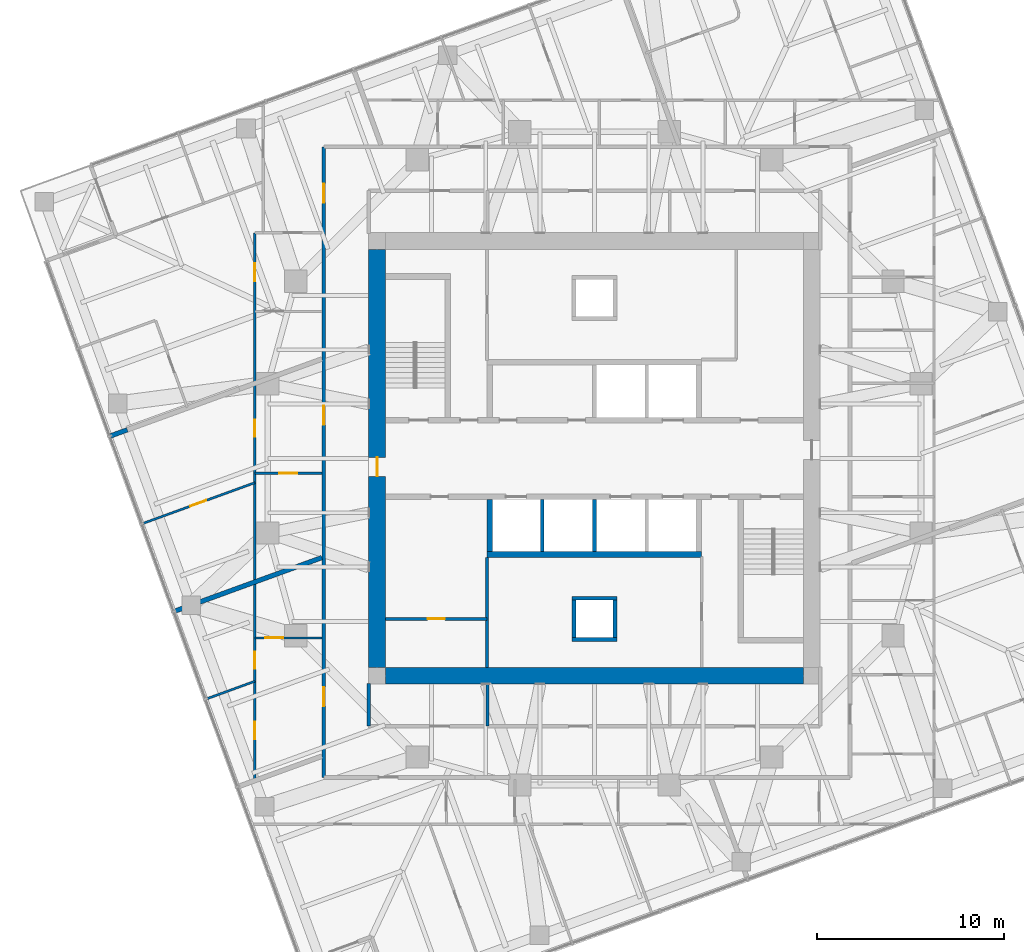
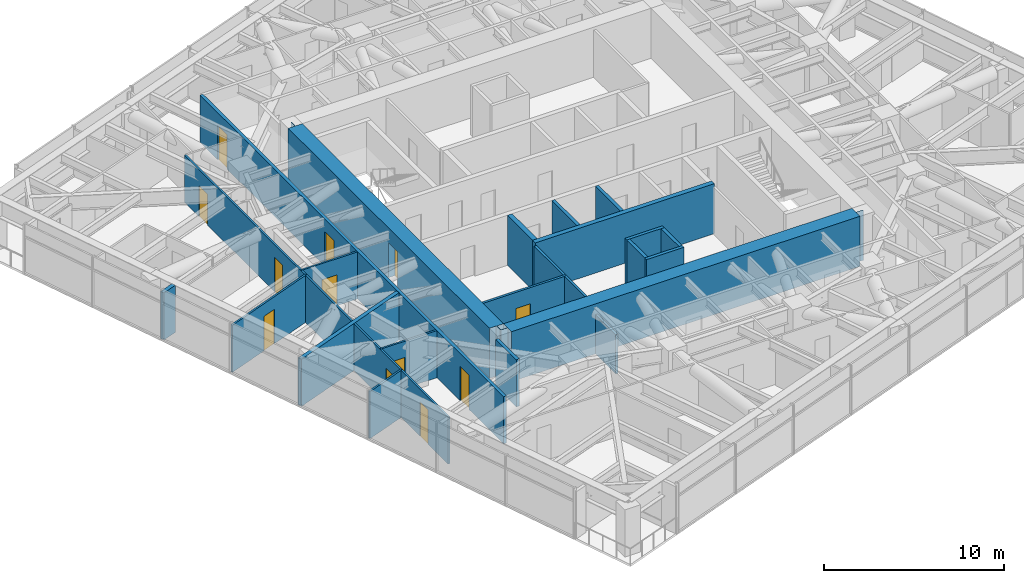
# One storey, part 10 of 16: 22 walls, 12 doors, 12 openings.
"""IFC4 building model written with IfcOpenShell, lengths in metres."""

from ifc_helpers import new_model, si_unit, direction, frame, frame_2d, origin, place, context, subcontext, project, spatial, polyline, rectangle, outline, extrude, material, layer, layer_set, type_object, element, fill, save


model = new_model("IFC4")

# Units and contexts
model_context = context("Model", 3, precision=1e-05, world=origin(), true_north=direction((0.0, 1.0)))
body_context = subcontext(model_context, "Body", "Model", "MODEL_VIEW")
ifc_project = project(units=[si_unit("LENGTHUNIT", "METRE"), si_unit("AREAUNIT", "SQUARE_METRE"), si_unit("VOLUMEUNIT", "CUBIC_METRE"), si_unit("PLANEANGLEUNIT", "RADIAN"), si_unit("MASSUNIT", "GRAM", prefix="KILO")], contexts=[model_context])

# Site, building, storey
site_placement = place(None, origin())
site = spatial("IfcSite", under=ifc_project, at=site_placement, CompositionType="ELEMENT")
building_placement = place(site_placement, origin())
building = spatial("IfcBuilding", under=site, at=building_placement, Name="Torsade Residences", CompositionType="ELEMENT")
storey_placement = place(building_placement, frame((0.0, 0.0, 167.60009765625)))
storey = spatial("IfcBuildingStorey", under=building, at=storey_placement, Name="L46", CompositionType="ELEMENT", Elevation=167.60009765625)

# Walls
ifc_material_1 = material(Name="Concrete 80 MPa", Category="concrete")
ifc_layer_1 = layer(ifc_material_1, 0.300048828125)
ifc_layer_set_1 = layer_set([ifc_layer_1], Name="Concrete 80 MPa")
wall_type_1 = type_object("IfcWallType", Name="CORE INTERNAL WALL 300", PredefinedType="SHEAR", material=ifc_layer_set_1)
wall_1_placement = place(storey_placement, frame((45.75, 24.85009765625, 0.0), z_axis=(0.0, 0.0, 1.0), x_axis=(-1.0, 0.0, 0.0)))
element("IfcWall", 1, at=wall_1_placement, inside=storey, type_object=wall_type_1, Name="Core wall BS L46", PredefinedType="SHEAR", context=body_context, shape_type="SweptSolid", body=[
    extrude(rectangle(XDim=11.5, YDim=0.300048828125, at=frame_2d((5.75, 0.0))), origin(), (0.0, 0.0, 1.0), 3.39990234375),
])
wall_2_placement = place(storey_placement, frame((34.39990234375, 27.800048828125, 0.0), z_axis=(0.0, 0.0, 1.0), x_axis=(0.0, -1.0, 0.0)))
element("IfcWall", 2, at=wall_2_placement, inside=storey, type_object=wall_type_1, Name="Core wall DS4 L46", PredefinedType="SHEAR", context=body_context, shape_type="SweptSolid", body=[
    extrude(rectangle(XDim=2.800048828125, YDim=0.300048828125, at=frame_2d((1.39990234375, 0.0))), origin(), (0.0, 0.0, 1.0), 3.39990234375),
])
ifc_material_2 = material(Name="Concrete 80 MPa", Category="concrete")
ifc_layer_2 = layer(ifc_material_2, 0.89990234375)
ifc_layer_set_2 = layer_set([ifc_layer_2], Name="Concrete 80 MPa")
wall_type_2 = type_object("IfcWallType", Name="CORE WALL 900", PredefinedType="SHEAR", material=ifc_layer_set_2)
wall_3_placement = place(storey_placement, frame((51.199951171875, 18.35009765625, 0.0), z_axis=(0.0, 0.0, 1.0), x_axis=(-1.0, 0.0, 0.0)))
element("IfcWall", 3, at=wall_3_placement, inside=storey, type_object=wall_type_2, Name="Core wall S L46", PredefinedType="SHEAR", context=body_context, shape_type="SweptSolid", body=[
    extrude(outline(polyline([(0.0, -0.449951171875), (22.39990234375, -0.449951171875), (22.39990234375, -0.02490234375), (22.849853515625, -0.02490234375), (22.849853515625, 0.02490234375), (22.39990234375, 0.02490234375), (22.39990234375, 0.449951171875), (0.0, 0.449951171875), (0.0, 0.02490234375), (-0.449951171875, 0.02490234375), (-0.449951171875, -0.02490234375), (0.0, -0.02490234375), (0.0, -0.449951171875)])), origin(), (0.0, 0.0, 1.0), 3.39990234375),
])

# Wall, opening, door
wall_4_placement = place(storey_placement, frame((28.35009765625, 41.199951171875, 0.0), z_axis=(0.0, 0.0, 1.0), x_axis=(0.0, -1.0, 0.0)))
wall_4 = element("IfcWall", 4, at=wall_4_placement, inside=storey, type_object=wall_type_2, Name="Core wall W L46", PredefinedType="SHEAR", context=body_context, shape_type="SweptSolid", body=[
    extrude(outline(polyline([(0.0, -0.449951171875), (22.39990234375, -0.449951171875), (22.39990234375, -0.02490234375), (22.849853515625, -0.02490234375), (22.849853515625, 0.02490234375), (22.39990234375, 0.02490234375), (22.39990234375, 0.449951171875), (0.0, 0.449951171875), (0.0, 0.02490234375), (-0.449951171875, 0.02490234375), (-0.449951171875, -0.02490234375), (0.0, -0.02490234375), (0.0, -0.449951171875)])), origin(), (0.0, 0.0, 1.0), 3.39990234375),
])
opening_1_placement = place(wall_4_placement, frame((11.139892578125, 0.0, 0.0)))
opening_1 = element("IfcOpeningElement", 5, at=opening_1_placement, cuts=wall_4, Name="Opening D04", PredefinedType="OPENING", context=body_context, shape_type="SweptSolid", body=[
    extrude(rectangle(XDim=1.02001953125, YDim=2.39990234375, at=frame_2d((0.510009765625, 1.199951171875))), frame((0.0, 0.4599609375, 0.0), z_axis=(0.0, -1.0, 0.0), x_axis=(1.0, 0.0, 0.0)), (0.0, 0.0, 1.0), 0.919921875),
])
ifc_material_3 = material(Name="Steel-framed fire door", Category="steel")
door_type_1 = type_object("IfcDoorType", Name="LOBBY SMOKE DOOR 1020x2400", OperationType="NOTDEFINED", PredefinedType="DOOR", material=ifc_material_3)
door_1_placement = place(opening_1_placement, origin())
door_1 = element("IfcDoor", 6, at=door_1_placement, inside=storey, type_object=door_type_1, Name="Lift lobby door W L46", OperationType="SINGLE_SWING_RIGHT", OverallHeight=2.39990234375, OverallWidth=1.02001953125, PredefinedType="DOOR", context=body_context, shape_type="SweptSolid", body=[
    extrude(rectangle(XDim=1.02001953125, YDim=2.39990234375, at=frame_2d((0.510009765625, 1.199951171875))), frame((0.0, 0.02490234375, 0.0), z_axis=(0.0, -1.0, 0.0), x_axis=(1.0, 0.0, 0.0)), (0.0, 0.0, 1.0), 0.050048828125),
])
fill(opening_1, door_1)

# Wall, openings, doors
ifc_material_4 = material(Name="Plasterboard on steel stud", Category="steel")
ifc_layer_3 = layer(ifc_material_4, 0.199951171875)
ifc_layer_set_3 = layer_set([ifc_layer_3], Name="Plasterboard on steel stud")
wall_type_3 = type_object("IfcWallType", Name="CORRIDOR WALL 200", PredefinedType="PARTITIONING", material=ifc_layer_set_3)
wall_5_placement = place(storey_placement, frame((25.5, 46.699951171875, 0.0), z_axis=(0.0, 0.0, 1.0), x_axis=(0.0, -1.0, 0.0)))
wall_5 = element("IfcWall", 7, at=wall_5_placement, inside=storey, type_object=wall_type_3, Name="Corridor wall L46", PredefinedType="PARTITIONING", context=body_context, shape_type="SweptSolid", body=[
    extrude(rectangle(XDim=33.800048828125, YDim=0.199951171875, at=frame_2d((16.89990234375, 0.0))), origin(), (0.0, 0.0, 1.0), 3.199951171875),
])
opening_2_placement = place(wall_5_placement, frame((28.95068359375, 0.0, 0.0)))
opening_2 = element("IfcOpeningElement", 8, at=opening_2_placement, cuts=wall_5, Name="Opening D01", PredefinedType="OPENING", context=body_context, shape_type="SweptSolid", body=[
    extrude(rectangle(XDim=1.02001953125, YDim=2.340087890625, at=frame_2d((0.510009765625, 1.169921875))), frame((0.0, 0.10986328125, 0.0), z_axis=(0.0, -1.0, 0.0), x_axis=(1.0, 0.0, 0.0)), (0.0, 0.0, 1.0), 0.219970703125),
])
opening_3_placement = place(wall_5_placement, frame((13.881103515625, 0.0, 0.0)))
opening_3 = element("IfcOpeningElement", 9, at=opening_3_placement, cuts=wall_5, Name="Opening D01", PredefinedType="OPENING", context=body_context, shape_type="SweptSolid", body=[
    extrude(rectangle(XDim=1.02001953125, YDim=2.340087890625, at=frame_2d((0.510009765625, 1.169921875))), frame((0.0, 0.10986328125, 0.0), z_axis=(0.0, -1.0, 0.0), x_axis=(1.0, 0.0, 0.0)), (0.0, 0.0, 1.0), 0.219970703125),
])
opening_4_placement = place(wall_5_placement, frame((1.9697265625, 0.0, 0.0)))
opening_4 = element("IfcOpeningElement", 10, at=opening_4_placement, cuts=wall_5, Name="Opening D01", PredefinedType="OPENING", context=body_context, shape_type="SweptSolid", body=[
    extrude(rectangle(XDim=1.02001953125, YDim=2.340087890625, at=frame_2d((0.510009765625, 1.169921875))), frame((0.0, 0.10986328125, 0.0), z_axis=(0.0, -1.0, 0.0), x_axis=(1.0, 0.0, 0.0)), (0.0, 0.0, 1.0), 0.219970703125),
])
ifc_material_5 = material(Name="Solid-core timber fire door", Category="wood")
door_type_2 = type_object("IfcDoorType", Name="APARTMENT ENTRY DOOR 1020x2340", OperationType="NOTDEFINED", PredefinedType="DOOR", material=ifc_material_5)
door_2_placement = place(opening_2_placement, origin())
door_2 = element("IfcDoor", 11, at=door_2_placement, inside=storey, type_object=door_type_2, Name="Door Residential corridor to Kitchen and dining", OperationType="SINGLE_SWING_LEFT", OverallHeight=2.340087890625, OverallWidth=1.02001953125, PredefinedType="DOOR", context=body_context, shape_type="SweptSolid", body=[
    extrude(rectangle(XDim=1.02001953125, YDim=2.340087890625, at=frame_2d((0.510009765625, 1.169921875))), frame((0.0, 0.02490234375, 0.0), z_axis=(0.0, -1.0, 0.0), x_axis=(1.0, 0.0, 0.0)), (0.0, 0.0, 1.0), 0.050048828125),
])
fill(opening_2, door_2)
door_3_placement = place(opening_3_placement, origin())
door_3 = element("IfcDoor", 12, at=door_3_placement, inside=storey, type_object=door_type_2, Name="Door Residential corridor to Kitchen and dining", OperationType="SINGLE_SWING_LEFT", OverallHeight=2.340087890625, OverallWidth=1.02001953125, PredefinedType="DOOR", context=body_context, shape_type="SweptSolid", body=[
    extrude(rectangle(XDim=1.02001953125, YDim=2.340087890625, at=frame_2d((0.510009765625, 1.169921875))), frame((0.0, 0.02490234375, 0.0), z_axis=(0.0, -1.0, 0.0), x_axis=(1.0, 0.0, 0.0)), (0.0, 0.0, 1.0), 0.050048828125),
])
fill(opening_3, door_3)
door_4_placement = place(opening_4_placement, origin())
door_4 = element("IfcDoor", 13, at=door_4_placement, inside=storey, type_object=door_type_2, Name="Door Residential corridor to Kitchen and dining", OperationType="SINGLE_SWING_LEFT", OverallHeight=2.340087890625, OverallWidth=1.02001953125, PredefinedType="DOOR", context=body_context, shape_type="SweptSolid", body=[
    extrude(rectangle(XDim=1.02001953125, YDim=2.340087890625, at=frame_2d((0.510009765625, 1.169921875))), frame((0.0, 0.02490234375, 0.0), z_axis=(0.0, -1.0, 0.0), x_axis=(1.0, 0.0, 0.0)), (0.0, 0.0, 1.0), 0.050048828125),
])
fill(opening_4, door_4)

# Walls
wall_6_placement = place(storey_placement, frame((27.89990234375, 17.949951171875, 0.0), z_axis=(0.0, 0.0, 1.0), x_axis=(0.0, -1.0, 0.0)))
element("IfcWall", 14, at=wall_6_placement, inside=storey, type_object=wall_type_3, Name="Corridor wall L46", PredefinedType="PARTITIONING", context=body_context, shape_type="SweptSolid", body=[
    extrude(rectangle(XDim=2.300048828125, YDim=0.199951171875, at=frame_2d((1.14990234375, 0.0))), origin(), (0.0, 0.0, 1.0), 3.199951171875),
])
ifc_material_6 = material(Name="Reinforced blockwork", Category="masonry")
ifc_layer_4 = layer(ifc_material_6, 0.199951171875)
ifc_layer_set_4 = layer_set([ifc_layer_4], Name="Reinforced blockwork")
wall_type_4 = type_object("IfcWallType", Name="LIFT SHAFT DIVIDING WALL 200", PredefinedType="SOLIDWALL", material=ifc_layer_set_4)
for number, where, z_axis, x_axis, name in (
    (15, (40.0, 27.800048828125, 0.0), (0.0, 0.0, 1.0), (0.0, -1.0, 0.0), "Core wall DS2 L46"),
    (16, (37.199951171875, 27.800048828125, 0.0), (0.0, 0.0, 1.0), (0.0, -1.0, 0.0), "Core wall DS3 L46"),
):
    element("IfcWall", number, at=place(storey_placement, frame(where, z_axis=z_axis, x_axis=x_axis)), inside=storey, type_object=wall_type_4, Name=name, PredefinedType="SOLIDWALL", context=body_context, shape_type="SweptSolid", body=[
        extrude(rectangle(XDim=2.800048828125, YDim=0.199951171875, at=frame_2d((1.39990234375, 0.0))), origin(), (0.0, 0.0, 1.0), 3.39990234375),
    ])

# Wall, opening, door
ifc_material_7 = material(Name="Plasterboard on steel stud", Category="steel")
ifc_layer_5 = layer(ifc_material_7, 0.1201171875)
ifc_layer_set_5 = layer_set([ifc_layer_5], Name="Plasterboard on steel stud")
wall_type_5 = type_object("IfcWallType", Name="PARTITION 120", PredefinedType="PARTITIONING", material=ifc_layer_set_5)
wall_7_placement = place(storey_placement, frame((25.39990234375, 29.201171875, 0.0), z_axis=(0.0, 0.0, 1.0), x_axis=(-1.0, 0.0, 0.0)))
wall_7 = element("IfcWall", 17, at=wall_7_placement, inside=storey, type_object=wall_type_5, Name="Partition L46", PredefinedType="PARTITIONING", context=body_context, shape_type="SweptSolid", body=[
    extrude(rectangle(XDim=3.599853515625, YDim=0.1201171875, at=frame_2d((1.7998046875, 0.0))), origin(), (0.0, 0.0, 1.0), 3.199951171875),
])
opening_5_placement = place(wall_7_placement, frame((1.320068359375, 0.0, 0.0)))
opening_5 = element("IfcOpeningElement", 18, at=opening_5_placement, cuts=wall_7, Name="Opening D05", PredefinedType="OPENING", context=body_context, shape_type="SweptSolid", body=[
    extrude(rectangle(XDim=0.9599609375, YDim=2.10009765625, at=frame_2d((0.47998046875, 1.050048828125))), frame((0.0, 0.070068359375, 0.0), z_axis=(0.0, -1.0, 0.0), x_axis=(1.0, 0.0, 0.0)), (0.0, 0.0, 1.0), 0.14013671875),
])
ifc_material_8 = material(Name="Hollow-core timber door in a steel cavity frame", Category="steel")
door_type_3 = type_object("IfcDoorType", Name="BATHROOM CAVITY SLIDING DOOR 960", OperationType="SLIDING_TO_LEFT", PredefinedType="DOOR", material=ifc_material_8)
door_5_placement = place(opening_5_placement, origin())
door_5 = element("IfcDoor", 19, at=door_5_placement, inside=storey, type_object=door_type_3, Name="Door Kitchen and dining to Bathroom", OperationType="SLIDING_TO_LEFT", OverallHeight=2.10009765625, OverallWidth=0.9599609375, PredefinedType="DOOR", context=body_context, shape_type="SweptSolid", body=[
    extrude(rectangle(XDim=0.9599609375, YDim=2.10009765625, at=frame_2d((0.47998046875, 1.050048828125))), frame((0.0, 0.02490234375, 0.0), z_axis=(0.0, -1.0, 0.0), x_axis=(1.0, 0.0, 0.0)), (0.0, 0.0, 1.0), 0.050048828125),
])
fill(opening_5, door_5)

# Wall, openings, doors
wall_8_placement = place(storey_placement, frame((21.800048828125, 12.73388671875, 0.0), z_axis=(0.0, 0.0, 1.0), x_axis=(0.0, 1.0, 0.0)))
wall_8 = element("IfcWall", 20, at=wall_8_placement, inside=storey, type_object=wall_type_5, Name="Partition L46", PredefinedType="PARTITIONING", context=body_context, shape_type="SweptSolid", body=[
    extrude(rectangle(XDim=29.356689453125, YDim=0.1201171875, at=frame_2d((14.67822265625, 0.0))), origin(), (0.0, 0.0, 1.0), 3.199951171875),
])
opening_6_placement = place(wall_8_placement, frame((2.22705078125, 0.0, 0.0)))
opening_6 = element("IfcOpeningElement", 21, at=opening_6_placement, cuts=wall_8, Name="Opening D02", PredefinedType="OPENING", context=body_context, shape_type="SweptSolid", body=[
    extrude(rectangle(XDim=0.919921875, YDim=2.340087890625, at=frame_2d((0.4599609375, 1.169921875))), frame((0.0, 0.070068359375, 0.0), z_axis=(0.0, -1.0, 0.0), x_axis=(1.0, 0.0, 0.0)), (0.0, 0.0, 1.0), 0.14013671875),
])
opening_7_placement = place(wall_8_placement, frame((5.995849609375, 0.0, 0.0)))
opening_7 = element("IfcOpeningElement", 22, at=opening_7_placement, cuts=wall_8, Name="Opening D02", PredefinedType="OPENING", context=body_context, shape_type="SweptSolid", body=[
    extrude(rectangle(XDim=0.919921875, YDim=2.340087890625, at=frame_2d((0.4599609375, 1.169921875))), frame((0.0, 0.070068359375, 0.0), z_axis=(0.0, -1.0, 0.0), x_axis=(1.0, 0.0, 0.0)), (0.0, 0.0, 1.0), 0.14013671875),
])
opening_8_placement = place(wall_8_placement, frame((18.415283203125, 0.0, 0.0)))
opening_8 = element("IfcOpeningElement", 23, at=opening_8_placement, cuts=wall_8, Name="Opening D02", PredefinedType="OPENING", context=body_context, shape_type="SweptSolid", body=[
    extrude(rectangle(XDim=0.919921875, YDim=2.340087890625, at=frame_2d((0.4599609375, 1.169921875))), frame((0.0, 0.070068359375, 0.0), z_axis=(0.0, -1.0, 0.0), x_axis=(1.0, 0.0, 0.0)), (0.0, 0.0, 1.0), 0.14013671875),
])
opening_9_placement = place(wall_8_placement, frame((26.76904296875, 0.0, 0.0)))
opening_9 = element("IfcOpeningElement", 24, at=opening_9_placement, cuts=wall_8, Name="Opening D05", PredefinedType="OPENING", context=body_context, shape_type="SweptSolid", body=[
    extrude(rectangle(XDim=0.9599609375, YDim=2.10009765625, at=frame_2d((0.47998046875, 1.050048828125))), frame((0.0, 0.070068359375, 0.0), z_axis=(0.0, -1.0, 0.0), x_axis=(1.0, 0.0, 0.0)), (0.0, 0.0, 1.0), 0.14013671875),
])
door_6_placement = place(opening_9_placement, origin())
door_6 = element("IfcDoor", 25, at=door_6_placement, inside=storey, type_object=door_type_3, Name="Door Bathroom to Living room", OperationType="SLIDING_TO_LEFT", OverallHeight=2.10009765625, OverallWidth=0.9599609375, PredefinedType="DOOR", context=body_context, shape_type="SweptSolid", body=[
    extrude(rectangle(XDim=0.9599609375, YDim=2.10009765625, at=frame_2d((0.47998046875, 1.050048828125))), frame((0.0, 0.02490234375, 0.0), z_axis=(0.0, -1.0, 0.0), x_axis=(1.0, 0.0, 0.0)), (0.0, 0.0, 1.0), 0.050048828125),
])
fill(opening_9, door_6)
ifc_material_9 = material(Name="Hollow-core timber door", Category="wood")
door_type_4 = type_object("IfcDoorType", Name="INTERNAL DOOR 920x2340", OperationType="NOTDEFINED", PredefinedType="DOOR", material=ifc_material_9)
door_7_placement = place(opening_6_placement, origin())
door_7 = element("IfcDoor", 26, at=door_7_placement, inside=storey, type_object=door_type_4, Name="Door Kitchen and dining to Bedroom 1", OperationType="SINGLE_SWING_RIGHT", OverallHeight=2.340087890625, OverallWidth=0.919921875, PredefinedType="DOOR", context=body_context, shape_type="SweptSolid", body=[
    extrude(rectangle(XDim=0.919921875, YDim=2.340087890625, at=frame_2d((0.4599609375, 1.169921875))), frame((0.0, 0.02490234375, 0.0), z_axis=(0.0, -1.0, 0.0), x_axis=(1.0, 0.0, 0.0)), (0.0, 0.0, 1.0), 0.050048828125),
])
fill(opening_6, door_7)
door_8_placement = place(opening_7_placement, origin())
door_8 = element("IfcDoor", 27, at=door_8_placement, inside=storey, type_object=door_type_4, Name="Door Kitchen and dining to Living room", OperationType="SINGLE_SWING_LEFT", OverallHeight=2.340087890625, OverallWidth=0.919921875, PredefinedType="DOOR", context=body_context, shape_type="SweptSolid", body=[
    extrude(rectangle(XDim=0.919921875, YDim=2.340087890625, at=frame_2d((0.4599609375, 1.169921875))), frame((0.0, 0.02490234375, 0.0), z_axis=(0.0, -1.0, 0.0), x_axis=(1.0, 0.0, 0.0)), (0.0, 0.0, 1.0), 0.050048828125),
])
fill(opening_7, door_8)
door_9_placement = place(opening_8_placement, origin())
door_9 = element("IfcDoor", 28, at=door_9_placement, inside=storey, type_object=door_type_4, Name="Door Kitchen and dining to Living room", OperationType="SINGLE_SWING_RIGHT", OverallHeight=2.340087890625, OverallWidth=0.919921875, PredefinedType="DOOR", context=body_context, shape_type="SweptSolid", body=[
    extrude(rectangle(XDim=0.919921875, YDim=2.340087890625, at=frame_2d((0.4599609375, 1.169921875))), frame((0.0, 0.02490234375, 0.0), z_axis=(0.0, -1.0, 0.0), x_axis=(1.0, 0.0, 0.0)), (0.0, 0.0, 1.0), 0.050048828125),
])
fill(opening_8, door_9)

# Wall, opening, door
wall_9_placement = place(storey_placement, frame((21.800048828125, 28.696533203125, 0.0), z_axis=(0.0, 0.0, 1.0), x_axis=(-0.939697777766, -0.342005974306, 0.0)))
wall_9 = element("IfcWall", 29, at=wall_9_placement, inside=storey, type_object=wall_type_5, Name="Partition L46", PredefinedType="PARTITIONING", context=body_context, shape_type="SweptSolid", body=[
    extrude(rectangle(XDim=6.411865234375, YDim=0.1201171875, at=frame_2d((3.2060546875, 0.0))), origin(), (0.0, 0.0, 1.0), 3.199951171875),
])
opening_10_placement = place(wall_9_placement, frame((2.765869140625, 0.0, 0.0)))
opening_10 = element("IfcOpeningElement", 30, at=opening_10_placement, cuts=wall_9, Name="Opening D02", PredefinedType="OPENING", context=body_context, shape_type="SweptSolid", body=[
    extrude(rectangle(XDim=0.919921875, YDim=2.340087890625, at=frame_2d((0.4599609375, 1.169921875))), frame((0.0, 0.070068359375, 0.0), z_axis=(0.0, -1.0, 0.0), x_axis=(1.0, 0.0, 0.0)), (0.0, 0.0, 1.0), 0.14013671875),
])
door_10_placement = place(opening_10_placement, origin())
door_10 = element("IfcDoor", 31, at=door_10_placement, inside=storey, type_object=door_type_4, Name="Door Living room to Bedroom 1", OperationType="SINGLE_SWING_LEFT", OverallHeight=2.340087890625, OverallWidth=0.919921875, PredefinedType="DOOR", context=body_context, shape_type="SweptSolid", body=[
    extrude(rectangle(XDim=0.919921875, YDim=2.340087890625, at=frame_2d((0.4599609375, 1.169921875))), frame((0.0, 0.02490234375, 0.0), z_axis=(0.0, -1.0, 0.0), x_axis=(1.0, 0.0, 0.0)), (0.0, 0.0, 1.0), 0.050048828125),
])
fill(opening_10, door_10)

wall_10_placement = place(storey_placement, frame((21.800048828125, 20.377685546875, 0.0), z_axis=(0.0, 0.0, 1.0), x_axis=(1.0, 0.0, 0.0)))
wall_10 = element("IfcWall", 32, at=wall_10_placement, inside=storey, type_object=wall_type_5, Name="Partition L46", PredefinedType="PARTITIONING", context=body_context, shape_type="SweptSolid", body=[
    extrude(rectangle(XDim=3.599853515625, YDim=0.1201171875, at=frame_2d((1.7998046875, 0.0))), origin(), (0.0, 0.0, 1.0), 3.199951171875),
])
opening_11_placement = place(wall_10_placement, frame((0.570068359375, 0.0, 0.0)))
opening_11 = element("IfcOpeningElement", 33, at=opening_11_placement, cuts=wall_10, Name="Opening D05", PredefinedType="OPENING", context=body_context, shape_type="SweptSolid", body=[
    extrude(rectangle(XDim=0.9599609375, YDim=2.10009765625, at=frame_2d((0.47998046875, 1.050048828125))), frame((0.0, 0.070068359375, 0.0), z_axis=(0.0, -1.0, 0.0), x_axis=(1.0, 0.0, 0.0)), (0.0, 0.0, 1.0), 0.14013671875),
])
door_11_placement = place(opening_11_placement, origin())
door_11 = element("IfcDoor", 34, at=door_11_placement, inside=storey, type_object=door_type_3, Name="Door Kitchen and dining to Bathroom", OperationType="SLIDING_TO_LEFT", OverallHeight=2.10009765625, OverallWidth=0.9599609375, PredefinedType="DOOR", context=body_context, shape_type="SweptSolid", body=[
    extrude(rectangle(XDim=0.9599609375, YDim=2.10009765625, at=frame_2d((0.47998046875, 1.050048828125))), frame((0.0, 0.02490234375, 0.0), z_axis=(0.0, -1.0, 0.0), x_axis=(1.0, 0.0, 0.0)), (0.0, 0.0, 1.0), 0.050048828125),
])
fill(opening_11, door_11)

# Walls
wall_11_placement = place(storey_placement, frame((21.800048828125, 18.054931640625, 0.0), z_axis=(0.0, 0.0, 1.0), x_axis=(-0.939680234176, -0.34205417334, 0.0)))
element("IfcWall", 35, at=wall_11_placement, inside=storey, type_object=wall_type_5, Name="Partition L46", PredefinedType="PARTITIONING", context=body_context, shape_type="SweptSolid", body=[
    extrude(rectangle(XDim=2.772216796875, YDim=0.1201171875, at=frame_2d((1.38623046875, 0.0))), origin(), (0.0, 0.0, 1.0), 3.199951171875),
])
ifc_material_10 = material(Name="Masonry-lined stud party wall", Category="masonry")
ifc_layer_6 = layer(ifc_material_10, 0.25)
ifc_layer_set_6 = layer_set([ifc_layer_6], Name="Masonry-lined stud party wall")
wall_type_6 = type_object("IfcWallType", Name="PARTY WALL 250", PredefinedType="PARTITIONING", material=ifc_layer_set_6)
wall_12_placement = place(storey_placement, frame((17.447265625, 21.79150390625, 0.0), z_axis=(0.0, 0.0, 1.0), x_axis=(0.939695617736, 0.342011909161, 0.0)))
element("IfcWall", 36, at=wall_12_placement, inside=storey, type_object=wall_type_6, Name="Party wall L46", PredefinedType="PARTITIONING", context=body_context, shape_type="SweptSolid", body=[
    extrude(rectangle(XDim=8.45751953125, YDim=0.25, at=frame_2d((4.228759765625, 0.0))), origin(), (0.0, 0.0, 1.0), 3.199951171875),
])
wall_13_placement = place(storey_placement, frame((14.027099609375, 31.1884765625, 0.0), z_axis=(0.0, 0.0, 1.0), x_axis=(0.939686455819, 0.342037080957, 0.0)))
element("IfcWall", 37, at=wall_13_placement, inside=storey, type_object=wall_type_6, Name="Party wall L46", PredefinedType="PARTITIONING", context=body_context, shape_type="SweptSolid", body=[
    extrude(rectangle(XDim=1.0, YDim=0.25, at=frame_2d((0.5, 0.0))), origin(), (0.0, 0.0, 1.0), 3.199951171875),
])
ifc_material_11 = material(Name="Reinforced blockwork", Category="masonry")
ifc_layer_7 = layer(ifc_material_11, 0.199951171875)
ifc_layer_set_7 = layer_set([ifc_layer_7], Name="Reinforced blockwork")
wall_type_7 = type_object("IfcWallType", Name="RISER SHAFT WALL 200", PredefinedType="SOLIDWALL", material=ifc_layer_set_7)
for number, where, z_axis, x_axis, name in (
    (38, (38.89990234375, 22.39990234375, 0.0), (0.0, 0.0, 1.0), (0.0, -1.0, 0.0), "Core wall RS2a L46"),
    (39, (41.10009765625, 22.39990234375, 0.0), (0.0, 0.0, 1.0), (0.0, -1.0, 0.0), "Core wall RS2b L46"),
):
    element("IfcWall", number, at=place(storey_placement, frame(where, z_axis=z_axis, x_axis=x_axis)), inside=storey, type_object=wall_type_7, Name=name, PredefinedType="SOLIDWALL", context=body_context, shape_type="SweptSolid", body=[
        extrude(rectangle(XDim=2.0, YDim=0.199951171875, at=frame_2d((1.0, 0.0))), origin(), (0.0, 0.0, 1.0), 3.39990234375),
    ])
for number, where, z_axis, x_axis, name in (
    (40, (38.800048828125, 22.5, 0.0), (0.0, 0.0, 1.0), (1.0, 0.0, 0.0), "Core wall RS2c L46"),
    (41, (38.800048828125, 20.300048828125, 0.0), (0.0, 0.0, 1.0), (1.0, 0.0, 0.0), "Core wall RS2d L46"),
):
    element("IfcWall", number, at=place(storey_placement, frame(where, z_axis=z_axis, x_axis=x_axis)), inside=storey, type_object=wall_type_7, Name=name, PredefinedType="SOLIDWALL", context=body_context, shape_type="SweptSolid", body=[
        extrude(rectangle(XDim=2.39990234375, YDim=0.199951171875, at=frame_2d((1.199951171875, 0.0))), origin(), (0.0, 0.0, 1.0), 3.39990234375),
    ])
ifc_material_12 = material(Name="Reinforced blockwork", Category="masonry")
ifc_layer_8 = layer(ifc_material_12, 0.14990234375)
ifc_layer_set_8 = layer_set([ifc_layer_8], Name="Reinforced blockwork")
wall_type_8 = type_object("IfcWallType", Name="SERVICE ROOM WALL 150", PredefinedType="SOLIDWALL", material=ifc_layer_set_8)
wall_14_placement = place(storey_placement, frame((34.25, 18.800048828125, 0.0), z_axis=(0.0, 0.0, 1.0), x_axis=(0.0, 1.0, 0.0)))
element("IfcWall", 42, at=wall_14_placement, inside=storey, type_object=wall_type_8, Name="Service room wall L46", PredefinedType="SOLIDWALL", context=body_context, shape_type="SweptSolid", body=[
    extrude(rectangle(XDim=5.89990234375, YDim=0.14990234375, at=frame_2d((2.949951171875, 0.0))), origin(), (0.0, 0.0, 1.0), 3.199951171875),
])

# Wall, opening, door
wall_15_placement = place(storey_placement, frame((34.25, 21.39990234375, 0.0), z_axis=(0.0, 0.0, 1.0), x_axis=(-1.0, 0.0, 0.0)))
wall_15 = element("IfcWall", 43, at=wall_15_placement, inside=storey, type_object=wall_type_8, Name="Service room wall L46", PredefinedType="SOLIDWALL", context=body_context, shape_type="SweptSolid", body=[
    extrude(rectangle(XDim=5.449951171875, YDim=0.14990234375, at=frame_2d((2.72509765625, 0.0))), origin(), (0.0, 0.0, 1.0), 3.199951171875),
])
opening_12_placement = place(wall_15_placement, frame((2.264892578125, 0.0, 0.0)))
opening_12 = element("IfcOpeningElement", 44, at=opening_12_placement, cuts=wall_15, Name="Opening D06", PredefinedType="OPENING", context=body_context, shape_type="SweptSolid", body=[
    extrude(rectangle(XDim=0.919921875, YDim=2.10009765625, at=frame_2d((0.4599609375, 1.050048828125))), frame((0.0, 0.0849609375, 0.0), z_axis=(0.0, -1.0, 0.0), x_axis=(1.0, 0.0, 0.0)), (0.0, 0.0, 1.0), 0.169921875),
])
ifc_material_13 = material(Name="Steel-framed fire door", Category="steel")
door_type_5 = type_object("IfcDoorType", Name="FIRE DOOR 920", OperationType="NOTDEFINED", PredefinedType="DOOR", material=ifc_material_13)
door_12_placement = place(opening_12_placement, origin())
door_12 = element("IfcDoor", 45, at=door_12_placement, inside=storey, type_object=door_type_5, Name="Door Cleaner store to Building store", OperationType="SINGLE_SWING_LEFT", OverallHeight=2.10009765625, OverallWidth=0.919921875, PredefinedType="DOOR", context=body_context, shape_type="SweptSolid", body=[
    extrude(rectangle(XDim=0.919921875, YDim=2.10009765625, at=frame_2d((0.4599609375, 1.050048828125))), frame((0.0, 0.02490234375, 0.0), z_axis=(0.0, -1.0, 0.0), x_axis=(1.0, 0.0, 0.0)), (0.0, 0.0, 1.0), 0.050048828125),
])
fill(opening_12, door_12)

# Wall
wall_16_placement = place(storey_placement, frame((34.2646484375, 15.64990234375, 0.0), z_axis=(0.0, 0.0, 1.0), x_axis=(0.0, 1.0, 0.0)))
element("IfcWall", 46, at=wall_16_placement, inside=storey, type_object=wall_type_8, Name="Service room wall L46", PredefinedType="SOLIDWALL", context=body_context, shape_type="SweptSolid", body=[
    extrude(rectangle(XDim=2.25, YDim=0.14990234375, at=frame_2d((1.125, 0.0))), origin(), (0.0, 0.0, 1.0), 2.671875),
])

save(model, "model.ifc")
